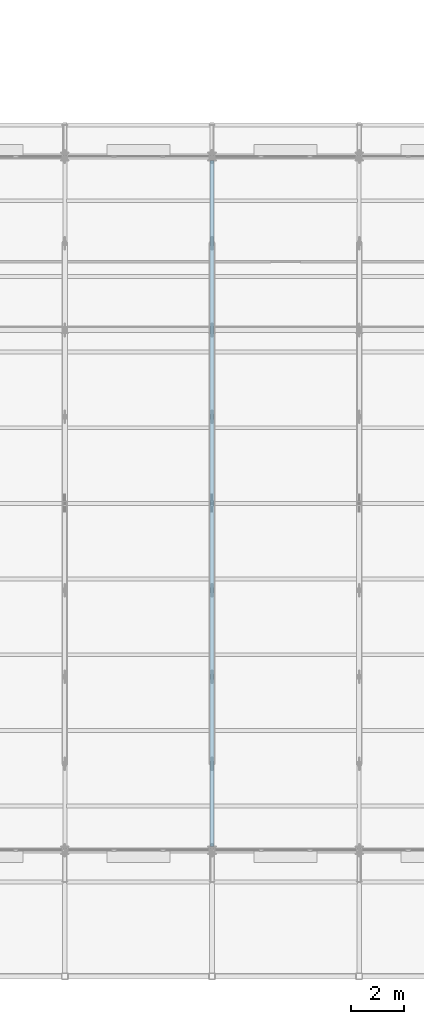
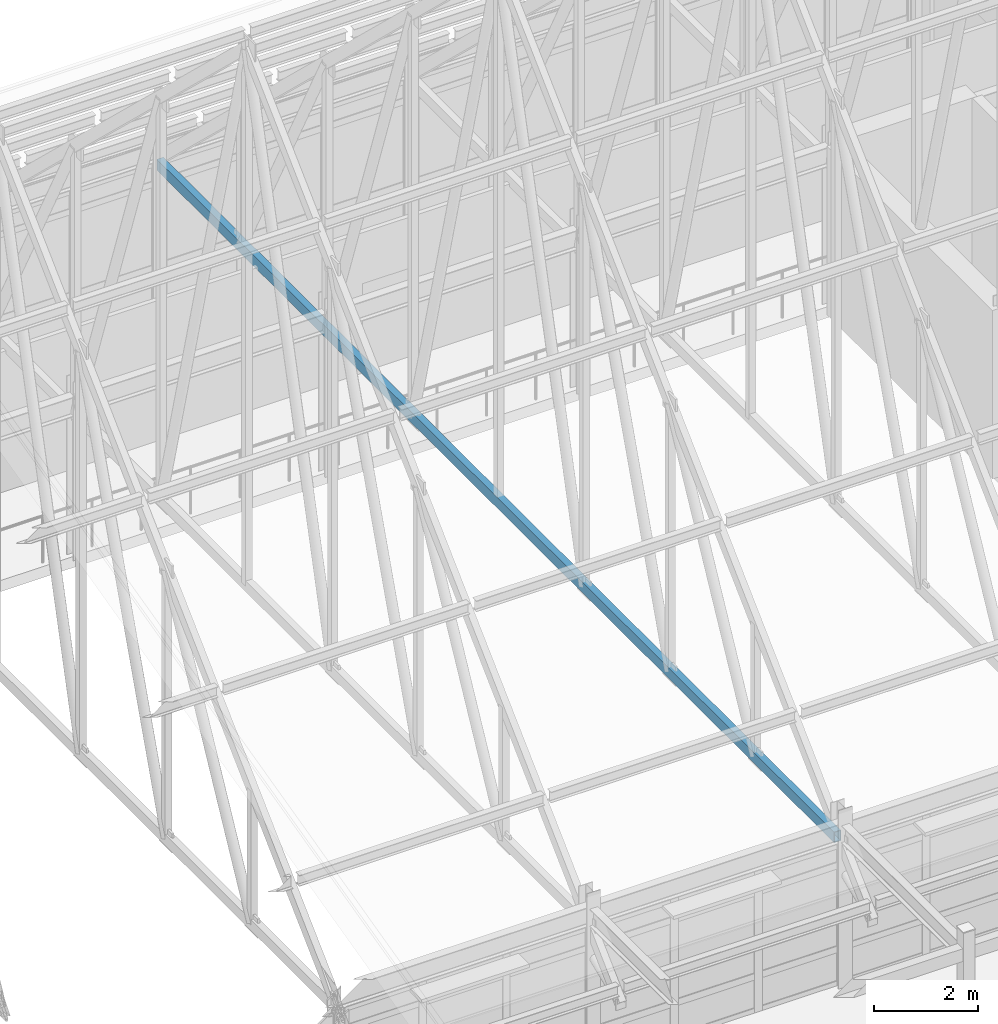
# One storey, part 47 of 144: 1 member.
"""IFC4 building model written with IfcOpenShell, lengths in metres."""

from ifc_helpers import new_model, si_unit, direction, frame, origin, origin_2d, place, context, subcontext, project, spatial, hollow_rectangle, extrude, material, material_profile, profile_set, type_object, element, save


model = new_model("IFC4")

# Units and contexts
model_context = context("Model", 3, precision=1e-05, world=origin(), true_north=direction((0.0, 1.0)))
body_context = subcontext(model_context, "Body", "Model", "MODEL_VIEW")
ifc_project = project(units=[si_unit("LENGTHUNIT", "METRE"), si_unit("AREAUNIT", "SQUARE_METRE"), si_unit("VOLUMEUNIT", "CUBIC_METRE"), si_unit("PLANEANGLEUNIT", "RADIAN"), si_unit("MASSUNIT", "GRAM", prefix="KILO")], contexts=[model_context])

# Site, building, storey
site_placement = place(None, origin())
site = spatial("IfcSite", under=ifc_project, at=site_placement, CompositionType="ELEMENT")
building_placement = place(site_placement, origin())
building = spatial("IfcBuilding", under=site, at=building_placement, Name="Trelmorton Wharf Fire Station", CompositionType="ELEMENT")
storey_placement = place(building_placement, frame((0.0, 0.0, 5.39990234375)))
storey = spatial("IfcBuildingStorey", under=building, at=storey_placement, Name="L01", CompositionType="ELEMENT", Elevation=5.39990234375)

# Member
ifc_material = material(Name="Steel C350L0 (350 MPa)", Category="steel")
ifc_material_profile = material_profile(ifc_material, hollow_rectangle(XDim=0.14990234375, YDim=0.25, WallThickness=0.009033203125, at=origin_2d()), Name="250x150x9.0RHS")
ifc_profile_set = profile_set([ifc_material_profile], Name="Steel C350L0 (350 MPa)")
member_type = type_object("IfcMemberType", Name="TR_CHORD_250RHS", PredefinedType="CHORD", material=ifc_profile_set)
member_placement = place(storey_placement, frame((40.0, 7.95361328125, 3.351806640625), z_axis=(0.0, 1.0, 0.0), x_axis=(-1.0, 0.0, 0.0)))
element("IfcMember", 1, at=member_placement, inside=storey, type_object=member_type, Name="V1-TR08-BC", PredefinedType="CHORD", context=body_context, shape_type="SweptSolid", body=[
    extrude(hollow_rectangle(XDim=0.14990234375, YDim=0.25, WallThickness=0.009033203125, at=origin_2d()), origin(), (0.0, 0.0, 1.0), 26.0927734375),
])

save(model, "model.ifc")
